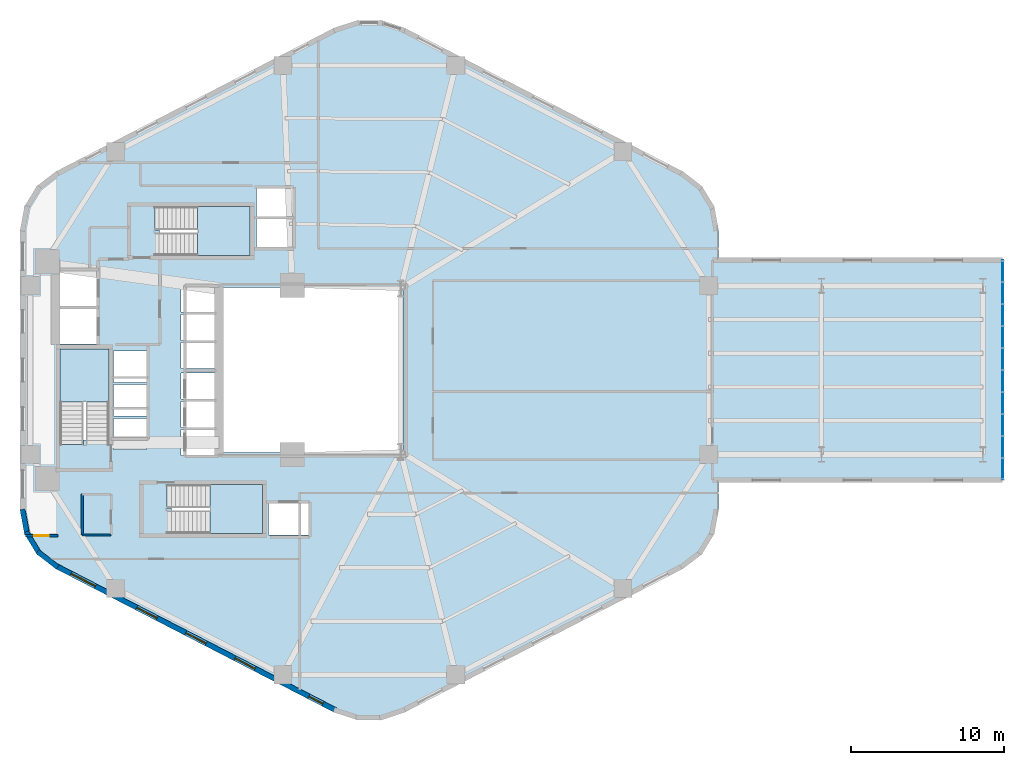
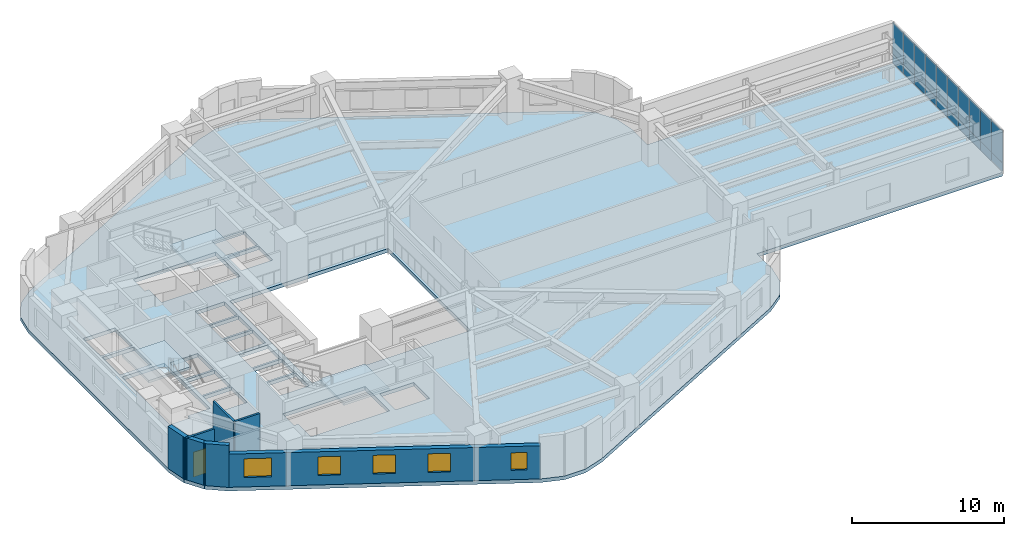
# One storey, part 4 of 10: 20 plates, 7 walls, 5 windows, 4 slabs, 1 door, 6 openings, 4 elements without a shape of their own.
"""IFC4 building model written with IfcOpenShell, lengths in metres."""

from ifc_helpers import new_model, si_unit, direction, frame, frame_2d, origin, origin_2d, place, context, subcontext, project, spatial, polyline, rectangle, outline, extrude, material, layer, layer_set, type_object, element, fill, aggregate, save


model = new_model("IFC4")

# Units and contexts
model_context = context("Model", 3, precision=1e-05, world=origin(), true_north=direction((0.0, 1.0)))
body_context = subcontext(model_context, "Body", "Model", "MODEL_VIEW")
ifc_project = project(units=[si_unit("LENGTHUNIT", "METRE"), si_unit("AREAUNIT", "SQUARE_METRE"), si_unit("VOLUMEUNIT", "CUBIC_METRE"), si_unit("PLANEANGLEUNIT", "RADIAN"), si_unit("MASSUNIT", "GRAM", prefix="KILO"), si_unit("THERMODYNAMICTEMPERATUREUNIT", "KELVIN"), si_unit("POWERUNIT", "WATT")], contexts=[model_context])

# Site, building, storey
site_placement = place(None, origin())
site = spatial("IfcSite", under=ifc_project, at=site_placement, CompositionType="ELEMENT")
building_placement = place(site_placement, origin())
building = spatial("IfcBuilding", under=site, at=building_placement, Name="Skarre Station Tower", CompositionType="ELEMENT")
storey_placement = place(building_placement, frame((0.0, 0.0, 56.199951171875)))
storey = spatial("IfcBuildingStorey", under=building, at=storey_placement, Name="L14", CompositionType="ELEMENT", Elevation=56.199951171875)

# Curtain wall, plates
ifc_material_1 = material(Name="Thermally Broken Bronze-Anodized Aluminium & Triple Low-E Glass", Category="aluminium")
ifc_layer_1 = layer(ifc_material_1, 0.2099609375, Name="Thermally Broken Bronze-Anodized Aluminium & Triple Low-E Glass")
ifc_layer_set_1 = layer_set([ifc_layer_1], Name="Thermally Broken Bronze-Anodized Aluminium & Triple Low-E Glass")
curtain_wall_type = type_object("IfcCurtainWallType", Name="Sky-Bar Prow Structural Glazed Curtain Wall", PredefinedType="NOTDEFINED", material=ifc_layer_set_1)
curtain_wall_placement = place(storey_placement, origin())
curtain_wall = element("IfcCurtainWall", 1, at=curtain_wall_placement, inside=storey, type_object=curtain_wall_type, Name="L14 SB-1 Lakefront Prow Curtain Wall", PredefinedType="NOTDEFINED")
ifc_material_2 = material(Name="Insulated Bronze Anodized Aluminium Spandrel", Category="aluminium")
ifc_layer_2 = layer(ifc_material_2, 0.052001953125, Name="Insulated Bronze Anodized Aluminium Spandrel")
ifc_layer_set_2 = layer_set([ifc_layer_2], Name="Insulated Bronze Anodized Aluminium Spandrel")
plate_type_1 = type_object("IfcPlateType", Name="Bronze Insulated Spandrel Sheet Panel 52", PredefinedType="SHEET", material=ifc_layer_set_2)
plate_1_placement = place(storey_placement, frame((78.863037109375, 30.47998046875, 0.052001953125), z_axis=(0.0, 0.0, 1.0), x_axis=(0.0, -1.0, 0.0)))
plate_1 = element("IfcPlate", 2, at=plate_1_placement, type_object=plate_type_1, Name="L14 SB-1 Lakefront Prow Curtain Wall Spandrel Panel 1-1", PredefinedType="SHEET", context=body_context, shape_type="SweptSolid", body=[
    extrude(rectangle(XDim=1.416015625, YDim=0.052001953125, at=origin_2d()), origin(), (0.0, 0.0, 1.0), 0.68603515625),
])
plate_2_placement = place(storey_placement, frame((78.863037109375, 29.0400390625, 0.052001953125), z_axis=(0.0, 0.0, 1.0), x_axis=(0.0, -1.0, 0.0)))
plate_2 = element("IfcPlate", 3, at=plate_2_placement, type_object=plate_type_1, Name="L14 SB-1 Lakefront Prow Curtain Wall Spandrel Panel 2-1", PredefinedType="SHEET", context=body_context, shape_type="SweptSolid", body=[
    extrude(rectangle(XDim=1.416015625, YDim=0.052001953125, at=origin_2d()), origin(), (0.0, 0.0, 1.0), 0.68603515625),
])
plate_3_placement = place(storey_placement, frame((78.863037109375, 27.60009765625, 0.052001953125), z_axis=(0.0, 0.0, 1.0), x_axis=(0.0, -1.0, 0.0)))
plate_3 = element("IfcPlate", 4, at=plate_3_placement, type_object=plate_type_1, Name="L14 SB-1 Lakefront Prow Curtain Wall Spandrel Panel 3-1", PredefinedType="SHEET", context=body_context, shape_type="SweptSolid", body=[
    extrude(rectangle(XDim=1.416015625, YDim=0.052001953125, at=origin_2d()), origin(), (0.0, 0.0, 1.0), 0.68603515625),
])
plate_4_placement = place(storey_placement, frame((78.863037109375, 26.159912109375, 0.052001953125), z_axis=(0.0, 0.0, 1.0), x_axis=(0.0, -1.0, 0.0)))
plate_4 = element("IfcPlate", 5, at=plate_4_placement, type_object=plate_type_1, Name="L14 SB-1 Lakefront Prow Curtain Wall Spandrel Panel 4-1", PredefinedType="SHEET", context=body_context, shape_type="SweptSolid", body=[
    extrude(rectangle(XDim=1.416015625, YDim=0.052001953125, at=origin_2d()), origin(), (0.0, 0.0, 1.0), 0.68603515625),
])
plate_5_placement = place(storey_placement, frame((78.863037109375, 24.719970703125, 0.052001953125), z_axis=(0.0, 0.0, 1.0), x_axis=(0.0, -1.0, 0.0)))
plate_5 = element("IfcPlate", 6, at=plate_5_placement, type_object=plate_type_1, Name="L14 SB-1 Lakefront Prow Curtain Wall Spandrel Panel 5-1", PredefinedType="SHEET", context=body_context, shape_type="SweptSolid", body=[
    extrude(rectangle(XDim=1.416015625, YDim=0.052001953125, at=origin_2d()), origin(), (0.0, 0.0, 1.0), 0.68603515625),
])
plate_6_placement = place(storey_placement, frame((78.863037109375, 23.280029296875, 0.052001953125), z_axis=(0.0, 0.0, 1.0), x_axis=(0.0, -1.0, 0.0)))
plate_6 = element("IfcPlate", 7, at=plate_6_placement, type_object=plate_type_1, Name="L14 SB-1 Lakefront Prow Curtain Wall Spandrel Panel 6-1", PredefinedType="SHEET", context=body_context, shape_type="SweptSolid", body=[
    extrude(rectangle(XDim=1.416015625, YDim=0.052001953125, at=origin_2d()), origin(), (0.0, 0.0, 1.0), 0.68603515625),
])
plate_7_placement = place(storey_placement, frame((78.863037109375, 21.840087890625, 0.052001953125), z_axis=(0.0, 0.0, 1.0), x_axis=(0.0, -1.0, 0.0)))
plate_7 = element("IfcPlate", 8, at=plate_7_placement, type_object=plate_type_1, Name="L14 SB-1 Lakefront Prow Curtain Wall Spandrel Panel 7-1", PredefinedType="SHEET", context=body_context, shape_type="SweptSolid", body=[
    extrude(rectangle(XDim=1.416015625, YDim=0.052001953125, at=origin_2d()), origin(), (0.0, 0.0, 1.0), 0.68603515625),
])
plate_8_placement = place(storey_placement, frame((78.863037109375, 20.39990234375, 0.052001953125), z_axis=(0.0, 0.0, 1.0), x_axis=(0.0, -1.0, 0.0)))
plate_8 = element("IfcPlate", 9, at=plate_8_placement, type_object=plate_type_1, Name="L14 SB-1 Lakefront Prow Curtain Wall Spandrel Panel 8-1", PredefinedType="SHEET", context=body_context, shape_type="SweptSolid", body=[
    extrude(rectangle(XDim=1.416015625, YDim=0.052001953125, at=origin_2d()), origin(), (0.0, 0.0, 1.0), 0.68603515625),
])
plate_9_placement = place(storey_placement, frame((78.863037109375, 18.9599609375, 0.052001953125), z_axis=(0.0, 0.0, 1.0), x_axis=(0.0, -1.0, 0.0)))
plate_9 = element("IfcPlate", 10, at=plate_9_placement, type_object=plate_type_1, Name="L14 SB-1 Lakefront Prow Curtain Wall Spandrel Panel 9-1", PredefinedType="SHEET", context=body_context, shape_type="SweptSolid", body=[
    extrude(rectangle(XDim=1.416015625, YDim=0.052001953125, at=origin_2d()), origin(), (0.0, 0.0, 1.0), 0.68603515625),
])
plate_10_placement = place(storey_placement, frame((78.863037109375, 17.52001953125, 0.052001953125), z_axis=(0.0, 0.0, 1.0), x_axis=(0.0, -1.0, 0.0)))
plate_10 = element("IfcPlate", 11, at=plate_10_placement, type_object=plate_type_1, Name="L14 SB-1 Lakefront Prow Curtain Wall Spandrel Panel 10-1", PredefinedType="SHEET", context=body_context, shape_type="SweptSolid", body=[
    extrude(rectangle(XDim=1.416015625, YDim=0.052001953125, at=origin_2d()), origin(), (0.0, 0.0, 1.0), 0.68603515625),
])

# Stair, slab
ifc_material_3 = material(Name="Concrete C40/50", Category="concrete")
stair_type_1 = type_object("IfcStairType", Name="Reinforced Concrete Exit Stair ST-1", PredefinedType="HALF_TURN_STAIR", material=ifc_material_3)
stair_1_placement = place(storey_placement, origin())
stair_1 = element("IfcStair", 12, at=stair_1_placement, inside=storey, type_object=stair_type_1, Name="L14 Core Exit Stair ST-1", PredefinedType="HALF_TURN_STAIR")
ifc_layer_3 = layer(ifc_material_3, 0.219970703125, Name="Concrete C40/50")
ifc_layer_set_3 = layer_set([ifc_layer_3], Name="Concrete C40/50")
slab_type_1 = type_object("IfcSlabType", Name="Reinforced Concrete Stair & Ramp Landing 220", PredefinedType="LANDING", material=ifc_layer_set_3)
slab_1_placement = place(storey_placement, frame((0.0, 0.0, 1.625)))
slab_1 = element("IfcSlab", 13, at=slab_1_placement, type_object=slab_type_1, Name="ST-1 landing 1", PredefinedType="LANDING", context=body_context, shape_type="SweptSolid", body=[
    extrude(outline(polyline([(20.35009765625, 21.919921875), (20.35009765625, 25.39990234375), (17.14990234375, 25.39990234375), (17.14990234375, 21.919921875), (20.35009765625, 21.919921875)])), origin(), (0.0, 0.0, 1.0), 0.199951171875),
])
aggregate(stair_1, [slab_1])

stair_type_2 = type_object("IfcStairType", Name="Reinforced Concrete Exit Stair ST-2", PredefinedType="HALF_TURN_STAIR", material=ifc_material_3)
stair_2_placement = place(storey_placement, origin())
stair_2 = element("IfcStair", 14, at=stair_2_placement, inside=storey, type_object=stair_type_2, Name="L14 Core Exit Stair ST-2", PredefinedType="HALF_TURN_STAIR")
slab_2_placement = place(storey_placement, frame((0.0, 0.0, 1.625)))
slab_2 = element("IfcSlab", 15, at=slab_2_placement, type_object=slab_type_1, Name="ST-2 landing 1", PredefinedType="LANDING", context=body_context, shape_type="SweptSolid", body=[
    extrude(outline(polyline([(26.949951171875, 13.300048828125), (30.39990234375, 13.300048828125), (30.39990234375, 16.5), (26.949951171875, 16.5), (26.949951171875, 13.300048828125)])), origin(), (0.0, 0.0, 1.0), 0.199951171875),
])
aggregate(stair_2, [slab_2])

stair_type_3 = type_object("IfcStairType", Name="Reinforced Concrete Exit Stair ST-3", PredefinedType="HALF_TURN_STAIR", material=ifc_material_3)
stair_3_placement = place(storey_placement, origin())
stair_3 = element("IfcStair", 16, at=stair_3_placement, inside=storey, type_object=stair_type_3, Name="L14 Core Exit Stair ST-3", PredefinedType="HALF_TURN_STAIR")
slab_3_placement = place(storey_placement, frame((0.0, 0.0, 1.625)))
slab_3 = element("IfcSlab", 17, at=slab_3_placement, type_object=slab_type_1, Name="ST-3 landing 1", PredefinedType="LANDING", context=body_context, shape_type="SweptSolid", body=[
    extrude(outline(polyline([(26.14990234375, 31.5), (29.60009765625, 31.5), (29.60009765625, 34.699951171875), (26.14990234375, 34.699951171875), (26.14990234375, 31.5)])), origin(), (0.0, 0.0, 1.0), 0.199951171875),
])
aggregate(stair_3, [slab_3])

# Slab
ifc_material_4 = material(Name="Concrete C50/60", Category="concrete")
ifc_layer_4 = layer(ifc_material_4, 0.2900390625, Name="Concrete C50/60")
ifc_layer_set_4 = layer_set([ifc_layer_4], Name="Concrete C50/60")
slab_type_2 = type_object("IfcSlabType", Name="Sky-Bar Composite Floor Slab 290", PredefinedType="FLOOR", material=ifc_layer_set_4)
slab_4_placement = place(storey_placement, frame((0.0, 0.0, -0.2900390625)))
element("IfcSlab", 18, at=slab_4_placement, inside=storey, type_object=slab_type_2, Name="L14 Tower and SB-1 Floor Slab", PredefinedType="FLOOR", context=body_context, shape_type="SweptSolid", body=[
    extrude(outline(polyline([(60.262939453125, 16.800048828125), (78.863037109375, 16.800048828125), (78.863037109375, 31.199951171875), (60.262939453125, 31.199951171875), (60.262939453125, 33.201904296875), (59.98193359375, 34.72412109375), (59.177001953125, 36.044921875), (57.9541015625, 36.991943359375), (39.708984375, 46.407958984375), (38.196044921875, 46.906005859375), (36.60400390625, 46.906005859375), (35.091064453125, 46.407958984375), (16.845947265625, 36.991943359375), (15.623046875, 36.044921875), (14.818115234375, 34.72412109375), (14.537109375, 33.201904296875), (14.537109375, 14.798095703125), (14.818115234375, 13.27587890625), (15.623046875, 11.955078125), (16.845947265625, 11.008056640625), (35.091064453125, 1.592041015625), (36.60400390625, 1.093994140625), (38.196044921875, 1.093994140625), (39.708984375, 1.592041015625), (57.9541015625, 11.008056640625), (59.177001953125, 11.955078125), (59.98193359375, 13.27587890625), (60.262939453125, 14.798095703125), (60.262939453125, 16.800048828125)]), holes=[polyline([(18.669921875, 19.419921875), (18.669921875, 19.123046875), (17.14990234375, 19.123046875), (17.14990234375, 25.39990234375), (20.35009765625, 25.39990234375), (20.35009765625, 19.419921875), (18.669921875, 19.419921875)]), polyline([(24.449951171875, 14.97998046875), (24.153076171875, 14.97998046875), (24.153076171875, 16.5), (30.39990234375, 16.5), (30.39990234375, 13.300048828125), (24.449951171875, 13.300048828125), (24.449951171875, 14.97998046875)]), polyline([(23.64990234375, 33.179931640625), (23.35302734375, 33.179931640625), (23.35302734375, 34.699951171875), (29.60009765625, 34.699951171875), (29.60009765625, 31.5), (23.64990234375, 31.5), (23.64990234375, 33.179931640625)]), polyline([(17.14990234375, 28.0), (19.550048828125, 28.0), (19.550048828125, 25.699951171875), (17.14990234375, 25.699951171875), (17.14990234375, 28.0)]), polyline([(17.14990234375, 30.5), (19.550048828125, 30.5), (19.550048828125, 28.199951171875), (17.14990234375, 28.199951171875), (17.14990234375, 30.5)]), polyline([(30.800048828125, 15.300048828125), (33.39990234375, 15.300048828125), (33.39990234375, 13.199951171875), (30.800048828125, 13.199951171875), (30.800048828125, 15.300048828125)]), polyline([(25.050048828125, 20.10009765625), (27.25, 20.10009765625), (27.25, 18.39990234375), (25.050048828125, 18.39990234375), (25.050048828125, 20.10009765625)]), polyline([(25.050048828125, 21.949951171875), (27.25, 21.949951171875), (27.25, 20.25), (25.050048828125, 20.25), (25.050048828125, 21.949951171875)]), polyline([(25.050048828125, 23.800048828125), (27.25, 23.800048828125), (27.25, 22.10009765625), (25.050048828125, 22.10009765625), (25.050048828125, 23.800048828125)]), polyline([(25.050048828125, 25.800048828125), (27.25, 25.800048828125), (27.25, 24.10009765625), (25.050048828125, 24.10009765625), (25.050048828125, 25.800048828125)]), polyline([(25.050048828125, 27.64990234375), (27.25, 27.64990234375), (27.25, 25.949951171875), (25.050048828125, 25.949951171875), (25.050048828125, 27.64990234375)]), polyline([(25.050048828125, 29.5), (27.25, 29.5), (27.25, 27.800048828125), (25.050048828125, 27.800048828125), (25.050048828125, 29.5)]), polyline([(20.64990234375, 20.85009765625), (22.800048828125, 20.85009765625), (22.800048828125, 18.800048828125), (20.64990234375, 18.800048828125), (20.64990234375, 20.85009765625)]), polyline([(20.64990234375, 23.050048828125), (22.800048828125, 23.050048828125), (22.800048828125, 21.0), (20.64990234375, 21.0), (20.64990234375, 23.050048828125)]), polyline([(20.64990234375, 25.25), (22.800048828125, 25.25), (22.800048828125, 23.199951171875), (20.64990234375, 23.199951171875), (20.64990234375, 25.25)]), polyline([(30.0, 33.89990234375), (32.39990234375, 33.89990234375), (32.39990234375, 32.050048828125), (30.0, 32.050048828125), (30.0, 33.89990234375)]), polyline([(30.0, 35.89990234375), (32.39990234375, 35.89990234375), (32.39990234375, 34.050048828125), (30.0, 34.050048828125), (30.0, 35.89990234375)]), polyline([(27.60009765625, 29.39990234375), (39.60009765625, 29.39990234375), (39.60009765625, 18.60009765625), (27.60009765625, 18.60009765625), (27.60009765625, 29.39990234375)])]), origin(), (0.0, 0.0, 1.0), 0.2900390625),
])

# Plate
ifc_material_5 = material(Name="Low-Iron Triple Insulating Glass Unit", Category="glass")
ifc_layer_5 = layer(ifc_material_5, 0.0439453125, Name="Low-Iron Triple Insulating Glass Unit")
ifc_layer_set_5 = layer_set([ifc_layer_5], Name="Low-Iron Triple Insulating Glass Unit")
plate_type_2 = type_object("IfcPlateType", Name="Triple-Glazed Vision Curtain Panel 44", PredefinedType="CURTAIN_PANEL", material=ifc_layer_set_5)
plate_11_placement = place(storey_placement, frame((78.863037109375, 30.47998046875, 0.76220703125), z_axis=(0.0, 0.0, 1.0), x_axis=(0.0, -1.0, 0.0)))
plate_11 = element("IfcPlate", 19, at=plate_11_placement, type_object=plate_type_2, Name="L14 SB-1 Lakefront Prow Curtain Wall Vision Panel 1-2", PredefinedType="CURTAIN_PANEL", context=body_context, shape_type="SweptSolid", body=[
    extrude(rectangle(XDim=1.416015625, YDim=0.0439453125, at=origin_2d()), origin(), (0.0, 0.0, 1.0), 2.5458984375),
])

plate_12_placement = place(storey_placement, frame((78.863037109375, 29.0400390625, 0.76220703125), z_axis=(0.0, 0.0, 1.0), x_axis=(0.0, -1.0, 0.0)))
plate_12 = element("IfcPlate", 20, at=plate_12_placement, type_object=plate_type_2, Name="L14 SB-1 Lakefront Prow Curtain Wall Vision Panel 2-2", PredefinedType="CURTAIN_PANEL", context=body_context, shape_type="SweptSolid", body=[
    extrude(rectangle(XDim=1.416015625, YDim=0.0439453125, at=origin_2d()), origin(), (0.0, 0.0, 1.0), 2.5458984375),
])

plate_13_placement = place(storey_placement, frame((78.863037109375, 27.60009765625, 0.76220703125), z_axis=(0.0, 0.0, 1.0), x_axis=(0.0, -1.0, 0.0)))
plate_13 = element("IfcPlate", 21, at=plate_13_placement, type_object=plate_type_2, Name="L14 SB-1 Lakefront Prow Curtain Wall Vision Panel 3-2", PredefinedType="CURTAIN_PANEL", context=body_context, shape_type="SweptSolid", body=[
    extrude(rectangle(XDim=1.416015625, YDim=0.0439453125, at=origin_2d()), origin(), (0.0, 0.0, 1.0), 2.5458984375),
])

plate_14_placement = place(storey_placement, frame((78.863037109375, 26.159912109375, 0.76220703125), z_axis=(0.0, 0.0, 1.0), x_axis=(0.0, -1.0, 0.0)))
plate_14 = element("IfcPlate", 22, at=plate_14_placement, type_object=plate_type_2, Name="L14 SB-1 Lakefront Prow Curtain Wall Vision Panel 4-2", PredefinedType="CURTAIN_PANEL", context=body_context, shape_type="SweptSolid", body=[
    extrude(rectangle(XDim=1.416015625, YDim=0.0439453125, at=origin_2d()), origin(), (0.0, 0.0, 1.0), 2.5458984375),
])

plate_15_placement = place(storey_placement, frame((78.863037109375, 24.719970703125, 0.76220703125), z_axis=(0.0, 0.0, 1.0), x_axis=(0.0, -1.0, 0.0)))
plate_15 = element("IfcPlate", 23, at=plate_15_placement, type_object=plate_type_2, Name="L14 SB-1 Lakefront Prow Curtain Wall Vision Panel 5-2", PredefinedType="CURTAIN_PANEL", context=body_context, shape_type="SweptSolid", body=[
    extrude(rectangle(XDim=1.416015625, YDim=0.0439453125, at=origin_2d()), origin(), (0.0, 0.0, 1.0), 2.5458984375),
])

plate_16_placement = place(storey_placement, frame((78.863037109375, 23.280029296875, 0.76220703125), z_axis=(0.0, 0.0, 1.0), x_axis=(0.0, -1.0, 0.0)))
plate_16 = element("IfcPlate", 24, at=plate_16_placement, type_object=plate_type_2, Name="L14 SB-1 Lakefront Prow Curtain Wall Vision Panel 6-2", PredefinedType="CURTAIN_PANEL", context=body_context, shape_type="SweptSolid", body=[
    extrude(rectangle(XDim=1.416015625, YDim=0.0439453125, at=origin_2d()), origin(), (0.0, 0.0, 1.0), 2.5458984375),
])

plate_17_placement = place(storey_placement, frame((78.863037109375, 21.840087890625, 0.76220703125), z_axis=(0.0, 0.0, 1.0), x_axis=(0.0, -1.0, 0.0)))
plate_17 = element("IfcPlate", 25, at=plate_17_placement, type_object=plate_type_2, Name="L14 SB-1 Lakefront Prow Curtain Wall Vision Panel 7-2", PredefinedType="CURTAIN_PANEL", context=body_context, shape_type="SweptSolid", body=[
    extrude(rectangle(XDim=1.416015625, YDim=0.0439453125, at=origin_2d()), origin(), (0.0, 0.0, 1.0), 2.5458984375),
])

plate_18_placement = place(storey_placement, frame((78.863037109375, 20.39990234375, 0.76220703125), z_axis=(0.0, 0.0, 1.0), x_axis=(0.0, -1.0, 0.0)))
plate_18 = element("IfcPlate", 26, at=plate_18_placement, type_object=plate_type_2, Name="L14 SB-1 Lakefront Prow Curtain Wall Vision Panel 8-2", PredefinedType="CURTAIN_PANEL", context=body_context, shape_type="SweptSolid", body=[
    extrude(rectangle(XDim=1.416015625, YDim=0.0439453125, at=origin_2d()), origin(), (0.0, 0.0, 1.0), 2.5458984375),
])

plate_19_placement = place(storey_placement, frame((78.863037109375, 18.9599609375, 0.76220703125), z_axis=(0.0, 0.0, 1.0), x_axis=(0.0, -1.0, 0.0)))
plate_19 = element("IfcPlate", 27, at=plate_19_placement, type_object=plate_type_2, Name="L14 SB-1 Lakefront Prow Curtain Wall Vision Panel 9-2", PredefinedType="CURTAIN_PANEL", context=body_context, shape_type="SweptSolid", body=[
    extrude(rectangle(XDim=1.416015625, YDim=0.0439453125, at=origin_2d()), origin(), (0.0, 0.0, 1.0), 2.5458984375),
])

plate_20_placement = place(storey_placement, frame((78.863037109375, 17.52001953125, 0.76220703125), z_axis=(0.0, 0.0, 1.0), x_axis=(0.0, -1.0, 0.0)))
plate_20 = element("IfcPlate", 28, at=plate_20_placement, type_object=plate_type_2, Name="L14 SB-1 Lakefront Prow Curtain Wall Vision Panel 10-2", PredefinedType="CURTAIN_PANEL", context=body_context, shape_type="SweptSolid", body=[
    extrude(rectangle(XDim=1.416015625, YDim=0.0439453125, at=origin_2d()), origin(), (0.0, 0.0, 1.0), 2.5458984375),
])

aggregate(curtain_wall, [plate_1, plate_11, plate_2, plate_12, plate_3, plate_13, plate_4, plate_14, plate_5, plate_15, plate_6, plate_16, plate_7, plate_17, plate_8, plate_18, plate_9, plate_19, plate_10, plate_20])

# Walls
ifc_material_6 = material(Name="Acoustic Steel-Stud Gypsum Partition", Category="steel")
ifc_layer_6 = layer(ifc_material_6, 0.14990234375, Name="Acoustic Steel-Stud Gypsum Partition")
ifc_layer_set_6 = layer_set([ifc_layer_6], Name="Acoustic Steel-Stud Gypsum Partition")
wall_type_1 = type_object("IfcWallType", Name="Fire-Rated Corridor Acoustic Partition 150", PredefinedType="PARTITIONING", material=ifc_layer_set_6)
wall_1_placement = place(storey_placement, frame((18.60009765625, 15.8798828125, 0.0), z_axis=(0.0, 0.0, 1.0), x_axis=(0.0, -1.0, 0.0)))
element("IfcWall", 29, at=wall_1_placement, inside=storey, type_object=wall_type_1, Name="L14 Interior Partition WL-PT-L14-CSVC-W", PredefinedType="PARTITIONING", context=body_context, shape_type="SweptSolid", body=[
    extrude(rectangle(XDim=2.679931640625, YDim=0.14990234375, at=frame_2d((1.33984375, 0.0))), origin(), (0.0, 0.0, 1.0), 3.360107421875),
])
wall_2_placement = place(storey_placement, frame((18.60009765625, 13.199951171875, 0.0), z_axis=(0.0, 0.0, 1.0), x_axis=(1.0, 0.0, 0.0)))
element("IfcWall", 30, at=wall_2_placement, inside=storey, type_object=wall_type_1, Name="L14 Interior Partition WL-PT-L14-CSVC-S", PredefinedType="PARTITIONING", context=body_context, shape_type="SweptSolid", body=[
    extrude(rectangle(XDim=1.889892578125, YDim=0.14990234375, at=frame_2d((0.94482421875, 0.0))), origin(), (0.0, 0.0, 1.0), 3.360107421875),
])

# Wall, opening, door
wall_3_placement = place(storey_placement, frame((17.02001953125, 13.159912109375, 0.0), z_axis=(0.0, 0.0, 1.0), x_axis=(-1.0, 0.0, 0.0)))
wall_3 = element("IfcWall", 31, at=wall_3_placement, inside=storey, type_object=wall_type_1, Name="L14 Interior Partition WL-PT-L14-WW1-CW", PredefinedType="PARTITIONING", context=body_context, shape_type="SweptSolid", body=[
    extrude(rectangle(XDim=2.1201171875, YDim=0.14990234375, at=frame_2d((1.06005859375, 0.0))), origin(), (0.0, 0.0, 1.0), 3.360107421875),
])
opening_1_placement = place(wall_3_placement, frame((0.596923828125, 0.0, 0.0)))
opening_1 = element("IfcOpeningElement", 32, at=opening_1_placement, cuts=wall_3, Name="Opening DR-FD60", PredefinedType="OPENING", context=body_context, shape_type="SweptSolid", body=[
    extrude(rectangle(XDim=0.9599609375, YDim=2.0, at=frame_2d((0.47998046875, 1.0))), frame((0.0, 0.0849609375, 0.0), z_axis=(0.0, -1.0, 0.0), x_axis=(1.0, 0.0, 0.0)), (0.0, 0.0, 1.0), 0.169921875),
])
ifc_material_7 = material(Name="Nordic White-Oak Veneer Solid-Core Fire Leaf", Category="wood")
door_type = type_object("IfcDoorType", Name="Corridor Suite Entry Fire Door FD60 960x2150", OperationType="SINGLE_SWING_LEFT", PredefinedType="DOOR", material=ifc_material_7)
door_placement = place(opening_1_placement, origin())
door = element("IfcDoor", 33, at=door_placement, inside=storey, type_object=door_type, Name="L14 WW1 Entry Door", OperationType="SINGLE_SWING_LEFT", OverallHeight=2.0, OverallWidth=0.9599609375, PredefinedType="DOOR", context=body_context, shape_type="SweptSolid", body=[
    extrude(rectangle(XDim=0.9599609375, YDim=2.0, at=frame_2d((0.47998046875, 1.0))), frame((0.0, 0.02490234375, 0.0), z_axis=(0.0, -1.0, 0.0), x_axis=(1.0, 0.0, 0.0)), (0.0, 0.0, 1.0), 0.050048828125),
])
fill(opening_1, door)

# Wall, openings, windows
ifc_material_8 = material(Name="Precast concrete C45/55", Category="concrete")
ifc_layer_7 = layer(ifc_material_8, 0.340087890625, Name="Precast concrete C45/55")
ifc_layer_set_7 = layer_set([ifc_layer_7], Name="Precast concrete C45/55")
wall_type_2 = type_object("IfcWallType", Name="Nordic Honed Precast Facet Wall 340", PredefinedType="STANDARD", material=ifc_layer_set_7)
wall_4_placement = place(storey_placement, frame((35.1689453125, 1.742919921875, 0.0), z_axis=(0.0, 0.0, 1.0), x_axis=(-0.888634413993, 0.458616264721, 0.0)))
wall_4 = element("IfcWall", 34, at=wall_4_placement, inside=storey, type_object=wall_type_2, Name="L14 Facet 3 Nordic Precast Masonry Wall", PredefinedType="STANDARD", context=body_context, shape_type="SweptSolid", body=[
    extrude(rectangle(XDim=20.53125, YDim=0.340087890625, at=frame_2d((10.265625, 0.0))), origin(), (0.0, 0.0, 1.0), 2.654052734375),
])
opening_2_placement = place(wall_4_placement, frame((0.902099609375, 0.0, 0.75)))
opening_2 = element("IfcOpeningElement", 35, at=opening_2_placement, cuts=wall_4, Name="Opening WN-SLT", PredefinedType="OPENING", context=body_context, shape_type="SweptSolid", body=[
    extrude(rectangle(XDim=1.050048828125, YDim=1.39990234375, at=frame_2d((0.52490234375, 0.699951171875))), frame((0.0, 0.179931640625, 0.0), z_axis=(0.0, -1.0, 0.0), x_axis=(1.0, 0.0, 0.0)), (0.0, 0.0, 1.0), 0.360107421875),
])
opening_3_placement = place(wall_4_placement, frame((5.903076171875, 0.0, 0.75)))
opening_3 = element("IfcOpeningElement", 36, at=opening_3_placement, cuts=wall_4, Name="Opening WN-Z1B", PredefinedType="OPENING", context=body_context, shape_type="SweptSolid", body=[
    extrude(rectangle(XDim=1.5, YDim=1.5, at=frame_2d((0.75, 0.75))), frame((0.0, 0.179931640625, 0.0), z_axis=(0.0, -1.0, 0.0), x_axis=(1.0, 0.0, 0.0)), (0.0, 0.0, 1.0), 0.360107421875),
])
opening_4_placement = place(wall_4_placement, frame((9.51611328125, 0.0, 0.75)))
opening_4 = element("IfcOpeningElement", 37, at=opening_4_placement, cuts=wall_4, Name="Opening WN-Z1B", PredefinedType="OPENING", context=body_context, shape_type="SweptSolid", body=[
    extrude(rectangle(XDim=1.5, YDim=1.5, at=frame_2d((0.75, 0.75))), frame((0.0, 0.179931640625, 0.0), z_axis=(0.0, -1.0, 0.0), x_axis=(1.0, 0.0, 0.0)), (0.0, 0.0, 1.0), 0.360107421875),
])
opening_5_placement = place(wall_4_placement, frame((13.12890625, 0.0, 0.75)))
opening_5 = element("IfcOpeningElement", 38, at=opening_5_placement, cuts=wall_4, Name="Opening WN-Z1B", PredefinedType="OPENING", context=body_context, shape_type="SweptSolid", body=[
    extrude(rectangle(XDim=1.5, YDim=1.5, at=frame_2d((0.75, 0.75))), frame((0.0, 0.179931640625, 0.0), z_axis=(0.0, -1.0, 0.0), x_axis=(1.0, 0.0, 0.0)), (0.0, 0.0, 1.0), 0.360107421875),
])
opening_6_placement = place(wall_4_placement, frame((17.673095703125, 0.0, 0.75)))
opening_6 = element("IfcOpeningElement", 39, at=opening_6_placement, cuts=wall_4, Name="Opening WN-Z1A", PredefinedType="OPENING", context=body_context, shape_type="SweptSolid", body=[
    extrude(rectangle(XDim=1.800048828125, YDim=1.5, at=frame_2d((0.89990234375, 0.75))), frame((0.0, 0.179931640625, 0.0), z_axis=(0.0, -1.0, 0.0), x_axis=(1.0, 0.0, 0.0)), (0.0, 0.0, 1.0), 0.360107421875),
])
ifc_material_9 = material(Name="Low-Iron Triple Glazing with Bronze Anodized Frame", Category="glass")
window_type_1 = type_object("IfcWindowType", Name="Nordic Corner Slot Window 1050x1400", PartitioningType="SINGLE_PANEL", PredefinedType="WINDOW", material=ifc_material_9)
window_1_placement = place(opening_2_placement, origin())
window_1 = element("IfcWindow", 40, at=window_1_placement, inside=storey, type_object=window_type_1, Name="L14 Facade Window WL-FAC-L14-F3-1", OverallHeight=1.39990234375, OverallWidth=1.050048828125, PartitioningType="SINGLE_PANEL", PredefinedType="WINDOW", context=body_context, shape_type="SweptSolid", body=[
    extrude(rectangle(XDim=1.050048828125, YDim=1.39990234375, at=frame_2d((0.52490234375, 0.699951171875))), frame((0.0, 0.030029296875, 0.0), z_axis=(0.0, -1.0, 0.0), x_axis=(1.0, 0.0, 0.0)), (0.0, 0.0, 1.0), 0.06005859375),
])
fill(opening_2, window_1)
window_type_2 = type_object("IfcWindowType", Name="Nordic Punched Triple-Glazed Window 1500x1500", PartitioningType="SINGLE_PANEL", PredefinedType="WINDOW", material=ifc_material_9)
window_2_placement = place(opening_3_placement, origin())
window_2 = element("IfcWindow", 41, at=window_2_placement, inside=storey, type_object=window_type_2, Name="L14 Facade Window WL-FAC-L14-F3-2", OverallHeight=1.5, OverallWidth=1.5, PartitioningType="SINGLE_PANEL", PredefinedType="WINDOW", context=body_context, shape_type="SweptSolid", body=[
    extrude(rectangle(XDim=1.5, YDim=1.5, at=frame_2d((0.75, 0.75))), frame((0.0, 0.030029296875, 0.0), z_axis=(0.0, -1.0, 0.0), x_axis=(1.0, 0.0, 0.0)), (0.0, 0.0, 1.0), 0.06005859375),
])
fill(opening_3, window_2)
window_3_placement = place(opening_4_placement, origin())
window_3 = element("IfcWindow", 42, at=window_3_placement, inside=storey, type_object=window_type_2, Name="L14 Facade Window WL-FAC-L14-F3-3", OverallHeight=1.5, OverallWidth=1.5, PartitioningType="SINGLE_PANEL", PredefinedType="WINDOW", context=body_context, shape_type="SweptSolid", body=[
    extrude(rectangle(XDim=1.5, YDim=1.5, at=frame_2d((0.75, 0.75))), frame((0.0, 0.030029296875, 0.0), z_axis=(0.0, -1.0, 0.0), x_axis=(1.0, 0.0, 0.0)), (0.0, 0.0, 1.0), 0.06005859375),
])
fill(opening_4, window_3)
window_4_placement = place(opening_5_placement, origin())
window_4 = element("IfcWindow", 43, at=window_4_placement, inside=storey, type_object=window_type_2, Name="L14 Facade Window WL-FAC-L14-F3-4", OverallHeight=1.5, OverallWidth=1.5, PartitioningType="SINGLE_PANEL", PredefinedType="WINDOW", context=body_context, shape_type="SweptSolid", body=[
    extrude(rectangle(XDim=1.5, YDim=1.5, at=frame_2d((0.75, 0.75))), frame((0.0, 0.030029296875, 0.0), z_axis=(0.0, -1.0, 0.0), x_axis=(1.0, 0.0, 0.0)), (0.0, 0.0, 1.0), 0.06005859375),
])
fill(opening_5, window_4)
window_type_3 = type_object("IfcWindowType", Name="Nordic Punched Triple-Glazed Window 1800x1500", PartitioningType="SINGLE_PANEL", PredefinedType="WINDOW", material=ifc_material_9)
window_5_placement = place(opening_6_placement, origin())
window_5 = element("IfcWindow", 44, at=window_5_placement, inside=storey, type_object=window_type_3, Name="L14 Facade Window WL-FAC-L14-F3-5", OverallHeight=1.5, OverallWidth=1.800048828125, PartitioningType="SINGLE_PANEL", PredefinedType="WINDOW", context=body_context, shape_type="SweptSolid", body=[
    extrude(rectangle(XDim=1.800048828125, YDim=1.5, at=frame_2d((0.89990234375, 0.75))), frame((0.0, 0.030029296875, 0.0), z_axis=(0.0, -1.0, 0.0), x_axis=(1.0, 0.0, 0.0)), (0.0, 0.0, 1.0), 0.06005859375),
])
fill(opening_6, window_5)

# Walls
ifc_layer_8 = layer(ifc_material_8, 0.330078125, Name="Precast concrete C45/55")
ifc_layer_set_8 = layer_set([ifc_layer_8], Name="Precast concrete C45/55")
wall_type_3 = type_object("IfcWallType", Name="Nordic Rounded Corner Precast Wall 330", PredefinedType="STANDARD", material=ifc_layer_set_8)
wall_5_placement = place(storey_placement, frame((16.998046875, 11.09912109375, 0.0), z_axis=(0.0, 0.0, 1.0), x_axis=(-0.790691856293, 0.61221433207, 0.0)))
element("IfcWall", 45, at=wall_5_placement, inside=storey, type_object=wall_type_3, Name="L14 Rounded Corner Precast Wall F3-1", PredefinedType="STANDARD", context=body_context, shape_type="SweptSolid", body=[
    extrude(rectangle(XDim=1.67578125, YDim=0.330078125, at=frame_2d((0.837890625, 0.0))), origin(), (0.0, 0.0, 1.0), 3.360107421875),
])
wall_6_placement = place(storey_placement, frame((15.798095703125, 11.985107421875, 0.0), z_axis=(0.0, 0.0, 1.0), x_axis=(-0.520584129191, 0.853810379671, 0.0)))
element("IfcWall", 46, at=wall_6_placement, inside=storey, type_object=wall_type_3, Name="L14 Rounded Corner Precast Wall F3-2", PredefinedType="STANDARD", context=body_context, shape_type="SweptSolid", body=[
    extrude(rectangle(XDim=1.677001953125, YDim=0.330078125, at=frame_2d((0.83837890625, 0.0))), origin(), (0.0, 0.0, 1.0), 3.360107421875),
])
wall_7_placement = place(storey_placement, frame((14.991943359375, 13.241943359375, 0.0), z_axis=(0.0, 0.0, 1.0), x_axis=(-0.181714143354, 0.983351397063, 0.0)))
element("IfcWall", 47, at=wall_7_placement, inside=storey, type_object=wall_type_3, Name="L14 Rounded Corner Precast Wall F3-3", PredefinedType="STANDARD", context=body_context, shape_type="SweptSolid", body=[
    extrude(rectangle(XDim=1.677978515625, YDim=0.330078125, at=frame_2d((0.8388671875, 0.0))), origin(), (0.0, 0.0, 1.0), 3.360107421875),
])

save(model, "model.ifc")
